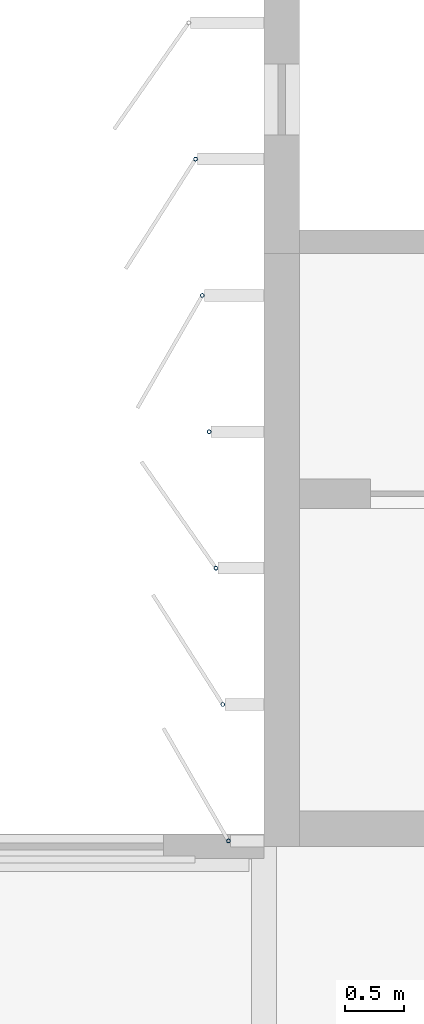
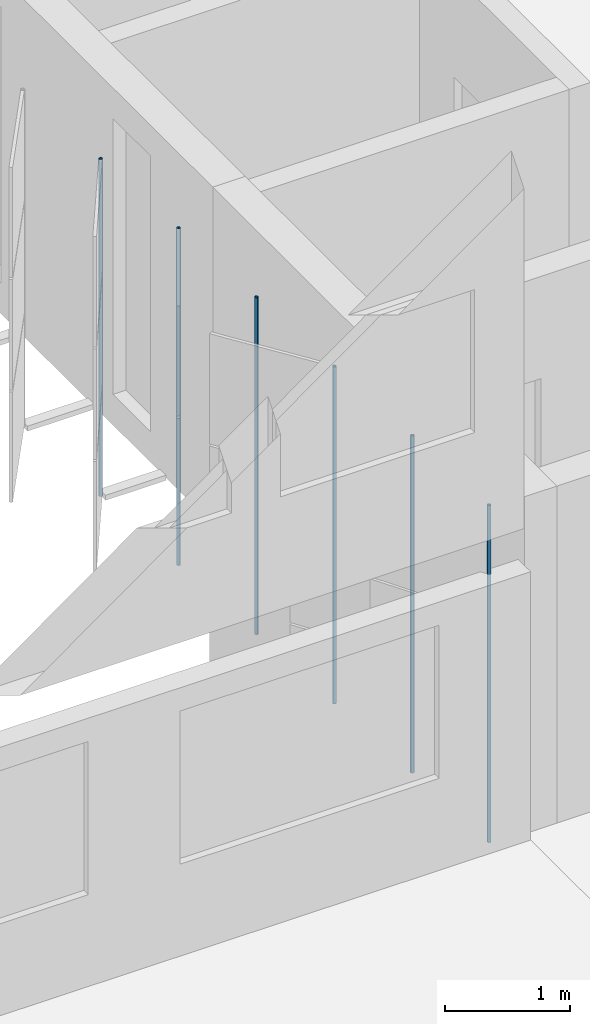
# One storey, part 101 of 199: 6 discrete accessories.
"""IFC4 building model written with IfcOpenShell, lengths in metres."""

import ifcopenshell
import ifcopenshell.guid

model = None  # the IFC model being written
_history = None  # IfcOwnerHistory: only IFC2X3 demands one
_inside = {}  # id of a spatial element -> (the spatial element, [elements in it])
_under = {}  # id of a project, library or spatial element -> (it, [spatial elements below it])
_declared = {}  # id of a project -> (the project, [libraries it declares])
_typed = {}  # id of a type object -> (the type object, [elements of that type])
_made_of = {}  # id of a material, layer set ... -> (it, [elements and type objects made of it])


def new_model(schema):
    """Start an empty IFC model of exactly this schema.

    Asked for "IFC4X3", IfcOpenShell would pick the latest addendum, in which some entities
    have other attributes; the version numbers below select the first issue.
    IFC2X3 requires an IfcOwnerHistory on every rooted entity: one is made here for all.
    """
    global model, _history
    if schema == "IFC4X3":
        model = ifcopenshell.file(schema_version=(4, 3, 0, 0))
    else:
        model = ifcopenshell.file(schema=schema)
    _inside.clear()
    _under.clear()
    _declared.clear()
    _typed.clear()
    _made_of.clear()
    _history = None
    if model.schema == "IFC2X3":
        org = make("IfcOrganization", Name="unknown")
        user = make(
            "IfcPersonAndOrganization",
            ThePerson=make("IfcPerson", FamilyName="unknown"),
            TheOrganization=org,
        )
        app = make(
            "IfcApplication",
            ApplicationDeveloper=org,
            Version="unknown",
            ApplicationFullName="unknown",
            ApplicationIdentifier="unknown",
        )
        _history = make(
            "IfcOwnerHistory",
            OwningUser=user,
            OwningApplication=app,
            ChangeAction="ADDED",
            CreationDate=0,
        )
    return model


def make(cls, **values):
    """One entity of the class cls with the attributes given. An attribute that is None is left unset."""
    return model.create_entity(
        cls, **{name: value for name, value in values.items() if value is not None}
    )


def rooted(cls, **values):
    """An entity with a GlobalId (a new one), such as an element, a storey or a relation."""
    return make(cls, GlobalId=ifcopenshell.guid.new(), OwnerHistory=_history, **values)


def si_unit(unit_type, name, prefix=None):
    """IfcSIUnit, for example si_unit("LENGTHUNIT", "METRE", prefix="MILLI")."""
    return make("IfcSIUnit", UnitType=unit_type, Prefix=prefix, Name=name)


def assignment(units):
    """IfcUnitAssignment: the units of a project."""
    return None if units is None else make("IfcUnitAssignment", Units=units)


def point(xyz):
    """IfcCartesianPoint."""
    return None if xyz is None else make("IfcCartesianPoint", Coordinates=xyz)


def direction(xyz):
    """IfcDirection."""
    return None if xyz is None else make("IfcDirection", DirectionRatios=xyz)


def frame(location, z_axis=None, x_axis=None):
    """IfcAxis2Placement3D, a coordinate frame: its origin and axes. An axis left out is left unset."""
    return make(
        "IfcAxis2Placement3D",
        Location=point(location),
        Axis=direction(z_axis),
        RefDirection=direction(x_axis),
    )


def frame_2d(location, x_axis=None):
    """IfcAxis2Placement2D, a coordinate frame in the plane: its origin and x axis."""
    return make(
        "IfcAxis2Placement2D", Location=point(location), RefDirection=direction(x_axis)
    )


def origin():
    """The frame at (0, 0, 0) with its axes left unset."""
    return frame((0.0, 0.0, 0.0))


def origin_2d():
    """The frame at (0, 0) in the plane with its x axis left unset."""
    return frame_2d((0.0, 0.0))


def place(relative_to, where):
    """IfcLocalPlacement: puts the frame where relative to a parent placement (None: the world)."""
    return make(
        "IfcLocalPlacement", PlacementRelTo=relative_to, RelativePlacement=where
    )


def context(
    kind, dimensions, precision=None, world=None, true_north=None, identifier=None
):
    """IfcGeometricRepresentationContext, for example the 3D "Model" context."""
    return make(
        "IfcGeometricRepresentationContext",
        ContextIdentifier=identifier,
        ContextType=kind,
        CoordinateSpaceDimension=dimensions,
        Precision=precision,
        WorldCoordinateSystem=world,
        TrueNorth=true_north,
    )


def subcontext(parent, identifier, kind, view, scale=None):
    """IfcGeometricRepresentationSubContext, for example "Body" below "Model"."""
    return make(
        "IfcGeometricRepresentationSubContext",
        ContextIdentifier=identifier,
        ContextType=kind,
        ParentContext=parent,
        TargetScale=scale,
        TargetView=view,
    )


def project(units=None, contexts=None):
    """IfcProject with its units and contexts."""
    return rooted(
        "IfcProject",
        Name="project",
        RepresentationContexts=contexts,
        UnitsInContext=assignment(units),
    )


def spatial(cls, under=None, at=None, **own):
    """A site, building, storey or space (cls), placed at a placement, below another one or the project."""
    s = rooted(cls, ObjectPlacement=at, **own)
    if under is not None:
        _under.setdefault(under.id(), (under, []))[1].append(s)
    return s


def profile(cls, at=None, kind="AREA", **sizes):
    """A parametric profile (cls). Its sizes go by their IFC names, for example OverallWidth=200.0."""
    return make(cls, ProfileType=kind, Position=at, **sizes)


def hollow_circle(**sizes):
    """IfcCircleHollowProfileDef."""
    return profile("IfcCircleHollowProfileDef", **sizes)


def extrude(swept, where, along, depth):
    """IfcExtrudedAreaSolid: the profile swept, set in the frame where, extruded along a direction by depth."""
    return make(
        "IfcExtrudedAreaSolid",
        SweptArea=swept,
        Position=where,
        ExtrudedDirection=direction(along),
        Depth=depth,
    )


def shape(context_of_items, identifier, shape_type, items):
    """IfcShapeRepresentation: the items that make up one representation, for example the "Body"."""
    return make(
        "IfcShapeRepresentation",
        ContextOfItems=context_of_items,
        RepresentationIdentifier=identifier,
        RepresentationType=shape_type,
        Items=items,
    )


def material(Name=None, Category=None):
    """IfcMaterial."""
    return make("IfcMaterial", Name=Name, Category=Category)


def material_profile(
    of_material, cross_section, Name=None, Category=None, Priority=None
):
    """IfcMaterialProfile: a cross section and its material."""
    return make(
        "IfcMaterialProfile",
        Name=Name,
        Material=of_material,
        Profile=cross_section,
        Priority=Priority,
        Category=Category,
    )


def profile_set(profiles, Name=None, composite=None):
    """IfcMaterialProfileSet."""
    return make(
        "IfcMaterialProfileSet",
        Name=Name,
        MaterialProfiles=profiles,
        CompositeProfile=composite,
    )


def made_of(thing, what):
    """Note that an element or type object is made of a material, layer set ...; save() writes the relation."""
    if what is not None:
        _made_of.setdefault(what.id(), (what, []))[1].append(thing)
    return thing


def type_object(cls, material=None, **own):
    """A type object (cls), such as IfcWallType, which elements share."""
    return made_of(rooted(cls, **own), material)


def element(
    cls,
    number,
    at=None,
    inside=None,
    cuts=None,
    type_object=None,
    material=None,
    context=None,
    identifier="Body",
    shape_type=None,
    held_by="IfcProductDefinitionShape",
    body=None,
    shapes=None,
    **own,
):
    """One element of the class cls, such as IfcWall. Its Tag is "e" and its number.

    at: its placement. inside: the storey or other place that contains it. cuts: it is an
    opening in that element (IfcRelVoidsElement). A single representation is given by context,
    identifier, shape_type and body (its items); several are given by shapes. held_by: the class
    of the entity that holds the representations. save() writes the other relations.
    """
    e = rooted(cls, Tag="e%d" % number, ObjectPlacement=at, **own)
    if body is not None:
        shapes = [shape(context, identifier, shape_type, body)]
    if shapes is not None:
        e.Representation = make(held_by, Representations=shapes)
    if inside is not None:
        _inside.setdefault(inside.id(), (inside, []))[1].append(e)
    if cuts is not None:
        rooted(
            "IfcRelVoidsElement", RelatingBuildingElement=cuts, RelatedOpeningElement=e
        )
    if type_object is not None:
        _typed.setdefault(type_object.id(), (type_object, []))[1].append(e)
    return made_of(e, material)


def aggregate(whole, parts):
    """IfcRelAggregates: a whole, such as a stair, and the parts it consists of."""
    return rooted("IfcRelAggregates", RelatingObject=whole, RelatedObjects=parts)


def save(model, path):
    """Write the relations noted so far, then the file.

    IfcRelAggregates (storeys below a building ...), IfcRelContainedInSpatialStructure (elements
    in a storey), IfcRelDefinesByType, IfcRelAssociatesMaterial and IfcRelDeclares: one each for
    every whole, place, type object, material and project.
    """
    for whole, parts in _under.values():
        aggregate(whole, parts)
    for where, things in _inside.values():
        rooted(
            "IfcRelContainedInSpatialStructure",
            RelatedElements=things,
            RelatingStructure=where,
        )
    for kind, things in _typed.values():
        rooted("IfcRelDefinesByType", RelatedObjects=things, RelatingType=kind)
    for what, things in _made_of.values():
        rooted("IfcRelAssociatesMaterial", RelatedObjects=things, RelatingMaterial=what)
    for by, libraries in _declared.values():
        rooted("IfcRelDeclares", RelatingContext=by, RelatedDefinitions=libraries)
    model.write(path)


model = new_model("IFC4")

# Units and contexts
model_context = context("Model", 3, precision=1e-05, world=origin(), true_north=direction((0.0, 1.0)))
body_context = subcontext(model_context, "Body", "Model", "MODEL_VIEW")
ifc_project = project(units=[si_unit("LENGTHUNIT", "METRE"), si_unit("AREAUNIT", "SQUARE_METRE"), si_unit("VOLUMEUNIT", "CUBIC_METRE"), si_unit("PLANEANGLEUNIT", "RADIAN"), si_unit("MASSUNIT", "GRAM", prefix="KILO")], contexts=[model_context])

# Site, building, storey
site_placement = place(None, origin())
site = spatial("IfcSite", under=ifc_project, at=site_placement, CompositionType="ELEMENT")
building_placement = place(site_placement, origin())
building = spatial("IfcBuilding", under=site, at=building_placement, Name="Parallax Yard Mobility Hub", CompositionType="ELEMENT")
storey_placement = place(building_placement, frame((0.0, 0.0, 9.89990234375)))
storey = spatial("IfcBuildingStorey", under=building, at=storey_placement, Name="L03", CompositionType="ELEMENT", Elevation=9.89990234375)

# Discrete accessories
ifc_material = material(Name="Steel ASTM A500 Gr C, hot-dip galvanised", Category="steel")
ifc_material_profile = material_profile(ifc_material, hollow_circle(Radius=0.016845703125, WallThickness=0.003173828125, at=origin_2d()), Name="CHS 33.7x3.2")
ifc_profile_set = profile_set([ifc_material_profile], Name="Steel ASTM A500 Gr C, hot-dip galvanised")
discrete_accessory_type = type_object("IfcDiscreteAccessoryType", Name="Hinge post CHS 33.7x3.2", PredefinedType="BRACKET", material=ifc_profile_set)
for number, where, z_axis, x_axis, name in (
    (1, (194.42236328125, 80.798095703125, 0.0), (0.0, 0.0, 1.0), (1.0, 0.0, 0.0), "Hinge post bay 23.9 level L03"),
    (2, (194.479736328125, 79.64794921875, 0.0), (0.0, 0.0, 1.0), (1.0, 0.0, 0.0), "Hinge post bay 23.10 level L03"),
    (3, (194.537353515625, 78.497802734375, 0.0), (0.0, 0.0, 1.0), (1.0, 0.0, 0.0), "Hinge post bay 23.11 level L03"),
    (4, (194.5947265625, 77.34765625, 0.0), (0.0, 0.0, 1.0), (1.0, 0.0, 0.0), "Hinge post bay 23.12 level L03"),
    (5, (194.65234375, 76.197509765625, 0.0), (0.0, 0.0, 1.0), (1.0, 0.0, 0.0), "Hinge post bay 23.13 level L03"),
    (6, (194.699951171875, 75.047119140625, 0.0), (0.0, 0.0, 1.0), (1.0, 0.0, 0.0), "Hinge post bay 23.14 level L03"),
):
    element("IfcDiscreteAccessory", number, at=place(storey_placement, frame(where, z_axis=z_axis, x_axis=x_axis)), inside=storey, type_object=discrete_accessory_type, Name=name, PredefinedType="BRACKET", context=body_context, shape_type="SweptSolid", body=[
        extrude(hollow_circle(Radius=0.016845703125, WallThickness=0.003173828125, at=origin_2d()), origin(), (0.0, 0.0, 1.0), 3.300048828125),
    ])

save(model, "model.ifc")
